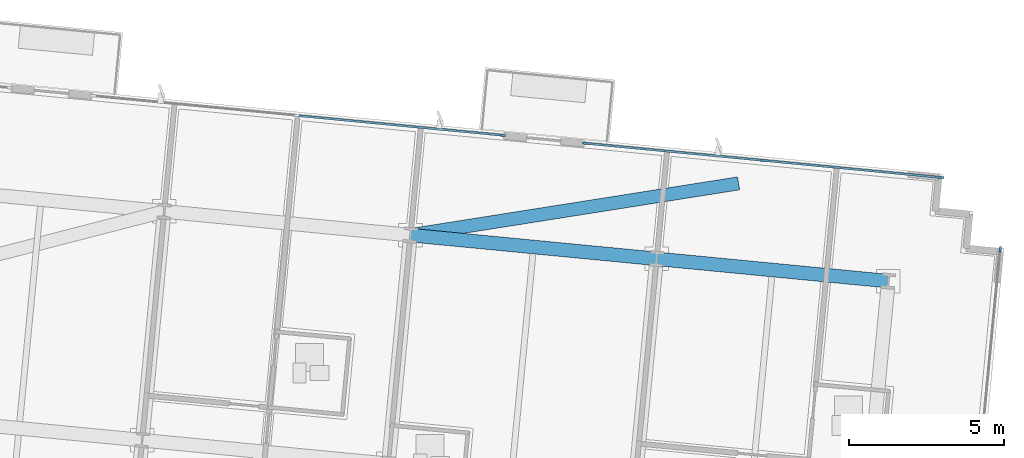
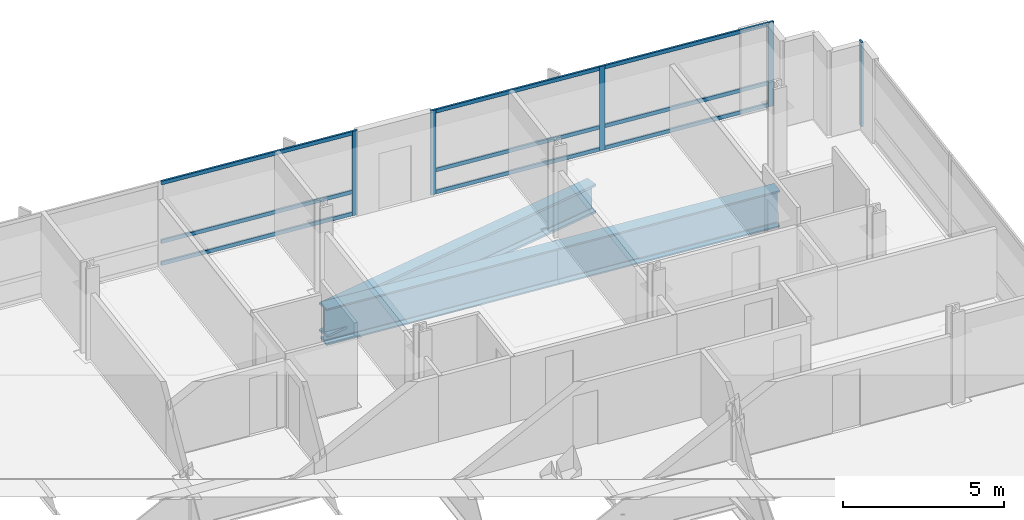
# One storey, part 8 of 18: 14 members, 3 beams, 3 elements without a shape of their own.
"""IFC4 building model written with IfcOpenShell, lengths in metres."""

from ifc_helpers import new_model, si_unit, direction, frame, origin, origin_2d, place, context, subcontext, project, spatial, rectangle, i_section, extrude, material, material_profile, profile_set, type_object, element, aggregate, save


model = new_model("IFC4")

# Units and contexts
model_context = context("Model", 3, precision=1e-05, world=origin(), true_north=direction((0.0, 1.0)))
body_context = subcontext(model_context, "Body", "Model", "MODEL_VIEW")
ifc_project = project(units=[si_unit("LENGTHUNIT", "METRE"), si_unit("AREAUNIT", "SQUARE_METRE"), si_unit("VOLUMEUNIT", "CUBIC_METRE"), si_unit("PLANEANGLEUNIT", "RADIAN"), si_unit("MASSUNIT", "GRAM", prefix="KILO")], contexts=[model_context])

# Site, building, storey
site_placement = place(None, origin())
site = spatial("IfcSite", under=ifc_project, at=site_placement, CompositionType="ELEMENT")
building_placement = place(site_placement, origin())
building = spatial("IfcBuilding", under=site, at=building_placement, Name="Solmavex Isthmus Hotel", CompositionType="ELEMENT")
storey_placement = place(building_placement, frame((0.0, 0.0, 135.89990234375)))
storey = spatial("IfcBuildingStorey", under=building, at=storey_placement, Name="L36", CompositionType="ELEMENT", Elevation=135.89990234375)

# Beams
ifc_material_1 = material(Name="Steel ASTM A913 Grade 65", Category="steel")
ifc_material_profile_1 = material_profile(ifc_material_1, i_section(OverallWidth=0.42431640625, OverallDepth=1.09228515625, WebThickness=0.04541015625, FlangeThickness=0.08203125, FilletRadius=0.030517578125, at=origin_2d()), Name="W40X593")
ifc_profile_set_1 = profile_set([ifc_material_profile_1], Name="Steel ASTM A913 Grade 65")
beam_type_1 = type_object("IfcBeamType", Name="BM-TB-W40X397", PredefinedType="BEAM", material=ifc_profile_set_1)
beam_1_placement = place(storey_placement, frame((19.751220703125, 19.63134765625, -0.99609375), z_axis=(-0.98779073528, -0.155786595367, 0.0), x_axis=(0.155786595367, -0.98779073528, 0.0)))
element("IfcBeam", 1, at=beam_1_placement, inside=storey, type_object=beam_type_1, Name="Core Outrigger Strut L35-OTN3", PredefinedType="BEAM", context=body_context, shape_type="SweptSolid", body=[
    extrude(i_section(OverallWidth=0.42431640625, OverallDepth=1.09228515625, WebThickness=0.04541015625, FlangeThickness=0.08203125, FilletRadius=0.030517578125, at=origin_2d()), origin(), (0.0, 0.0, 1.0), 10.686279296875),
])
ifc_material_2 = material(Name="Steel ASTM A572 Grade 50", Category="steel")
ifc_material_profile_2 = material_profile(ifc_material_2, i_section(OverallWidth=0.43994140625, OverallDepth=1.3798828125, WebThickness=0.030029296875, FlangeThickness=0.054931640625, FilletRadius=0.030517578125, at=origin_2d()), Name="I1380X440")
ifc_profile_set_2 = profile_set([ifc_material_profile_2], Name="Steel ASTM A572 Grade 50")
beam_type_2 = type_object("IfcBeamType", Name="BM-TG-I1380", PredefinedType="BEAM", material=ifc_profile_set_2)
beam_2_placement = place(storey_placement, frame((9.1953125, 17.966552734375, -1.139892578125), z_axis=(0.995397440011, -0.095832856685, 0.0), x_axis=(0.095832856685, 0.995397440011, 0.0)))
element("IfcBeam", 2, at=beam_2_placement, inside=storey, type_object=beam_type_2, Name="Outrigger Collector Girder L36-UG19", PredefinedType="BEAM", context=body_context, shape_type="SweptSolid", body=[
    extrude(i_section(OverallWidth=0.43994140625, OverallDepth=1.3798828125, WebThickness=0.030029296875, FlangeThickness=0.054931640625, FilletRadius=0.030517578125, at=origin_2d()), origin(), (0.0, 0.0, 1.0), 7.9560546875),
])
beam_3_placement = place(storey_placement, frame((17.11474609375, 17.2041015625, -1.139892578125), z_axis=(0.995395279593, -0.095855293875, 0.0), x_axis=(0.095855293875, 0.995395279593, 0.0)))
element("IfcBeam", 3, at=beam_3_placement, inside=storey, type_object=beam_type_2, Name="Outrigger Collector Girder L36-UG20", PredefinedType="BEAM", context=body_context, shape_type="SweptSolid", body=[
    extrude(i_section(OverallWidth=0.43994140625, OverallDepth=1.3798828125, WebThickness=0.030029296875, FlangeThickness=0.054931640625, FilletRadius=0.030517578125, at=origin_2d()), origin(), (0.0, 0.0, 1.0), 7.488037109375),
])

# Curtain wall, member
ifc_material_3 = material(Name="Aluminium alloy 6063-T6", Category="aluminium")
curtain_wall_type = type_object("IfcCurtainWallType", Name="CW-SYS-03", PredefinedType="NOTDEFINED", material=ifc_material_3)
curtain_wall_1_placement = place(storey_placement, origin())
curtain_wall_1 = element("IfcCurtainWall", 4, at=curtain_wall_1_placement, inside=storey, type_object=curtain_wall_type, Name="Stick Curtain Wall CWL-L36-N2", PredefinedType="NOTDEFINED")
ifc_material_profile_3 = material_profile(ifc_material_3, rectangle(XDim=0.070068359375, YDim=0.179931640625, at=origin_2d()), Name="CWM-70X180")
ifc_profile_set_3 = profile_set([ifc_material_profile_3], Name="Aluminium alloy 6063-T6")
member_type_1 = type_object("IfcMemberType", Name="CW-SYS-03-MUL", PredefinedType="MULLION", material=ifc_profile_set_3)
member_1_placement = place(storey_placement, frame((12.15966796875, 21.17724609375, 0.0), z_axis=(0.0, 0.0, 1.0), x_axis=(0.095845138178, 0.995396257521, 0.0)))
member_1 = element("IfcMember", 5, at=member_1_placement, type_object=member_type_1, Name="CW-03 mullion 3", PredefinedType="MULLION", context=body_context, shape_type="SweptSolid", body=[
    extrude(rectangle(XDim=0.070068359375, YDim=0.179931640625, at=origin_2d()), origin(), (0.0, 0.0, 1.0), 3.190185546875),
])

# Curtain wall, members
curtain_wall_2_placement = place(storey_placement, origin())
curtain_wall_2 = element("IfcCurtainWall", 6, at=curtain_wall_2_placement, inside=storey, type_object=curtain_wall_type, Name="Stick Curtain Wall CWL-L36-N3", PredefinedType="NOTDEFINED")
member_2_placement = place(storey_placement, frame((14.8173828125, 20.92138671875, 0.0), z_axis=(0.0, 0.0, 1.0), x_axis=(0.095845603495, 0.995396212717, 0.0)))
member_2 = element("IfcMember", 7, at=member_2_placement, type_object=member_type_1, Name="CW-03 mullion 1", PredefinedType="MULLION", context=body_context, shape_type="SweptSolid", body=[
    extrude(rectangle(XDim=0.070068359375, YDim=0.179931640625, at=origin_2d()), origin(), (0.0, 0.0, 1.0), 3.190185546875),
])
member_3_placement = place(storey_placement, frame((20.5390625, 20.370361328125, 0.0), z_axis=(0.0, 0.0, 1.0), x_axis=(0.095845603495, 0.995396212717, 0.0)))
member_3 = element("IfcMember", 8, at=member_3_placement, type_object=member_type_1, Name="CW-03 mullion 2", PredefinedType="MULLION", context=body_context, shape_type="SweptSolid", body=[
    extrude(rectangle(XDim=0.070068359375, YDim=0.179931640625, at=origin_2d()), origin(), (0.0, 0.0, 1.0), 3.190185546875),
])
member_4_placement = place(storey_placement, frame((26.260498046875, 19.819580078125, 0.0), z_axis=(0.0, 0.0, 1.0), x_axis=(0.095845603495, 0.995396212717, 0.0)))
member_4 = element("IfcMember", 9, at=member_4_placement, type_object=member_type_1, Name="CW-03 mullion 3", PredefinedType="MULLION", context=body_context, shape_type="SweptSolid", body=[
    extrude(rectangle(XDim=0.070068359375, YDim=0.179931640625, at=origin_2d()), origin(), (0.0, 0.0, 1.0), 3.190185546875),
])

# Curtain wall, member
curtain_wall_3_placement = place(storey_placement, origin())
curtain_wall_3 = element("IfcCurtainWall", 10, at=curtain_wall_3_placement, inside=storey, type_object=curtain_wall_type, Name="Stick Curtain Wall CWL-L36-E1", PredefinedType="NOTDEFINED")
member_5_placement = place(storey_placement, frame((28.1630859375, 17.511474609375, 0.0), z_axis=(0.0, 0.0, 1.0), x_axis=(-0.995396190038, 0.09584583902, 0.0)))
member_5 = element("IfcMember", 11, at=member_5_placement, type_object=member_type_1, Name="CW-03 mullion 6", PredefinedType="MULLION", context=body_context, shape_type="SweptSolid", body=[
    extrude(rectangle(XDim=0.070068359375, YDim=0.179931640625, at=origin_2d()), origin(), (0.0, 0.0, 1.0), 3.190185546875),
])
aggregate(curtain_wall_3, [member_5])

# Member
ifc_material_profile_4 = material_profile(ifc_material_3, rectangle(XDim=0.070068359375, YDim=0.139892578125, at=origin_2d()), Name="CWT-70X140")
ifc_profile_set_4 = profile_set([ifc_material_profile_4], Name="Aluminium alloy 6063-T6")
member_type_2 = type_object("IfcMemberType", Name="CW-SYS-03-TRN", PredefinedType="USERDEFINED", material=ifc_profile_set_4)
member_6_placement = place(storey_placement, frame((5.60400390625, 21.808349609375, 0.070068359375), z_axis=(0.995399328313, -0.095813241224, 0.0), x_axis=(0.095813241224, 0.995399328313, 0.0)))
member_6 = element("IfcMember", 12, at=member_6_placement, type_object=member_type_2, Name="CW-03 transom 2.1", ObjectType="TRANSOM", PredefinedType="USERDEFINED", context=body_context, shape_type="SweptSolid", body=[
    extrude(rectangle(XDim=0.070068359375, YDim=0.139892578125, at=origin_2d()), origin(), (0.0, 0.0, 1.0), 6.551025390625),
])

member_7_placement = place(storey_placement, frame((5.60400390625, 21.808349609375, 0.900146484375), z_axis=(0.995399328313, -0.095813241224, 0.0), x_axis=(0.095813241224, 0.995399328313, 0.0)))
member_7 = element("IfcMember", 13, at=member_7_placement, type_object=member_type_2, Name="CW-03 transom 2.2", ObjectType="TRANSOM", PredefinedType="USERDEFINED", context=body_context, shape_type="SweptSolid", body=[
    extrude(rectangle(XDim=0.070068359375, YDim=0.139892578125, at=origin_2d()), origin(), (0.0, 0.0, 1.0), 6.551025390625),
])

member_8_placement = place(storey_placement, frame((5.60400390625, 21.808349609375, 3.1201171875), z_axis=(0.995399328313, -0.095813241224, 0.0), x_axis=(0.095813241224, 0.995399328313, 0.0)))
member_8 = element("IfcMember", 14, at=member_8_placement, type_object=member_type_2, Name="CW-03 transom 2.3", ObjectType="TRANSOM", PredefinedType="USERDEFINED", context=body_context, shape_type="SweptSolid", body=[
    extrude(rectangle(XDim=0.070068359375, YDim=0.139892578125, at=origin_2d()), origin(), (0.0, 0.0, 1.0), 6.551025390625),
])

aggregate(curtain_wall_1, [member_1, member_6, member_7, member_8])

member_9_placement = place(storey_placement, frame((14.852294921875, 20.91796875, 0.070068359375), z_axis=(0.995396573568, -0.095841855831, 0.0), x_axis=(0.095841855831, 0.995396573568, 0.0)))
member_9 = element("IfcMember", 15, at=member_9_placement, type_object=member_type_2, Name="CW-03 transom 1.1", ObjectType="TRANSOM", PredefinedType="USERDEFINED", context=body_context, shape_type="SweptSolid", body=[
    extrude(rectangle(XDim=0.070068359375, YDim=0.139892578125, at=origin_2d()), origin(), (0.0, 0.0, 1.0), 5.677978515625),
])

member_10_placement = place(storey_placement, frame((14.852294921875, 20.91796875, 0.900146484375), z_axis=(0.995396573568, -0.095841855831, 0.0), x_axis=(0.095841855831, 0.995396573568, 0.0)))
member_10 = element("IfcMember", 16, at=member_10_placement, type_object=member_type_2, Name="CW-03 transom 1.2", ObjectType="TRANSOM", PredefinedType="USERDEFINED", context=body_context, shape_type="SweptSolid", body=[
    extrude(rectangle(XDim=0.070068359375, YDim=0.139892578125, at=origin_2d()), origin(), (0.0, 0.0, 1.0), 5.677978515625),
])

member_11_placement = place(storey_placement, frame((14.852294921875, 20.91796875, 3.1201171875), z_axis=(0.995396573568, -0.095841855831, 0.0), x_axis=(0.095841855831, 0.995396573568, 0.0)))
member_11 = element("IfcMember", 17, at=member_11_placement, type_object=member_type_2, Name="CW-03 transom 1.3", ObjectType="TRANSOM", PredefinedType="USERDEFINED", context=body_context, shape_type="SweptSolid", body=[
    extrude(rectangle(XDim=0.070068359375, YDim=0.139892578125, at=origin_2d()), origin(), (0.0, 0.0, 1.0), 5.677978515625),
])

member_12_placement = place(storey_placement, frame((20.573974609375, 20.366943359375, 0.070068359375), z_axis=(0.995396573568, -0.095841855831, 0.0), x_axis=(0.095841855831, 0.995396573568, 0.0)))
member_12 = element("IfcMember", 18, at=member_12_placement, type_object=member_type_2, Name="CW-03 transom 2.1", ObjectType="TRANSOM", PredefinedType="USERDEFINED", context=body_context, shape_type="SweptSolid", body=[
    extrude(rectangle(XDim=0.070068359375, YDim=0.139892578125, at=origin_2d()), origin(), (0.0, 0.0, 1.0), 5.677978515625),
])

member_13_placement = place(storey_placement, frame((20.573974609375, 20.366943359375, 0.900146484375), z_axis=(0.995396573568, -0.095841855831, 0.0), x_axis=(0.095841855831, 0.995396573568, 0.0)))
member_13 = element("IfcMember", 19, at=member_13_placement, type_object=member_type_2, Name="CW-03 transom 2.2", ObjectType="TRANSOM", PredefinedType="USERDEFINED", context=body_context, shape_type="SweptSolid", body=[
    extrude(rectangle(XDim=0.070068359375, YDim=0.139892578125, at=origin_2d()), origin(), (0.0, 0.0, 1.0), 5.677978515625),
])

member_14_placement = place(storey_placement, frame((20.573974609375, 20.366943359375, 3.1201171875), z_axis=(0.995396573568, -0.095841855831, 0.0), x_axis=(0.095841855831, 0.995396573568, 0.0)))
member_14 = element("IfcMember", 20, at=member_14_placement, type_object=member_type_2, Name="CW-03 transom 2.3", ObjectType="TRANSOM", PredefinedType="USERDEFINED", context=body_context, shape_type="SweptSolid", body=[
    extrude(rectangle(XDim=0.070068359375, YDim=0.139892578125, at=origin_2d()), origin(), (0.0, 0.0, 1.0), 5.677978515625),
])

aggregate(curtain_wall_2, [member_2, member_3, member_4, member_9, member_10, member_11, member_12, member_13, member_14])

save(model, "model.ifc")
